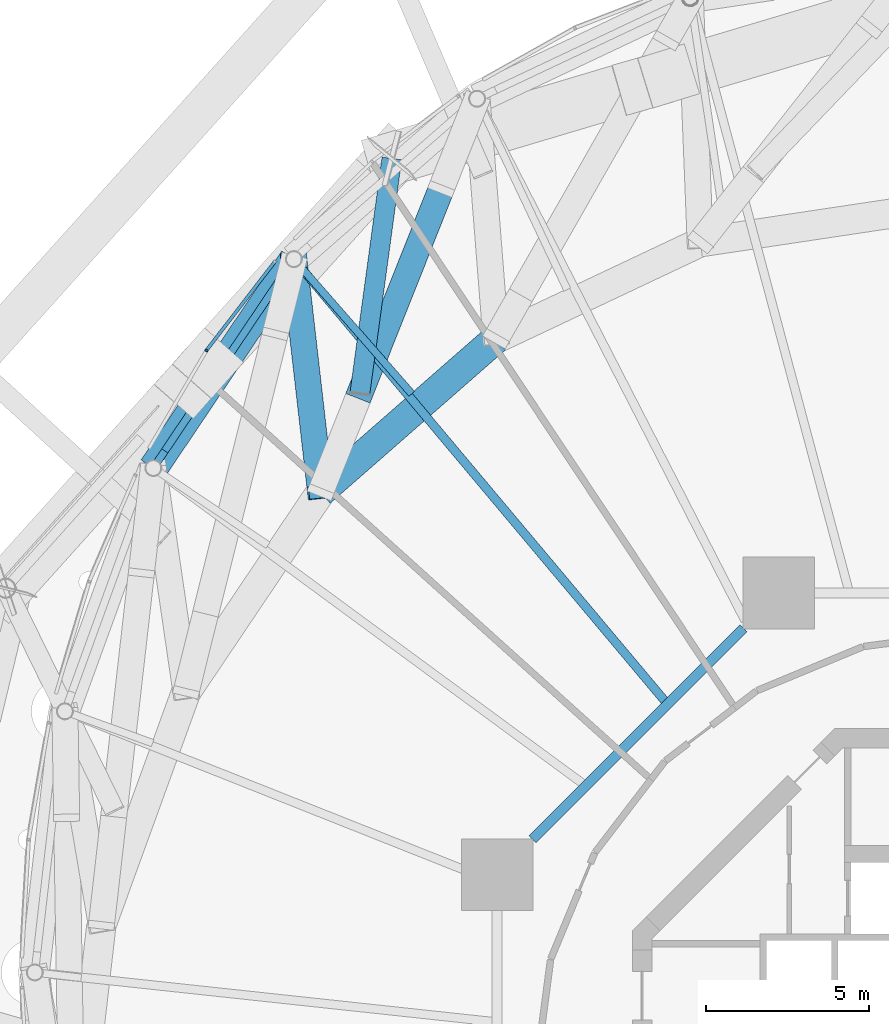
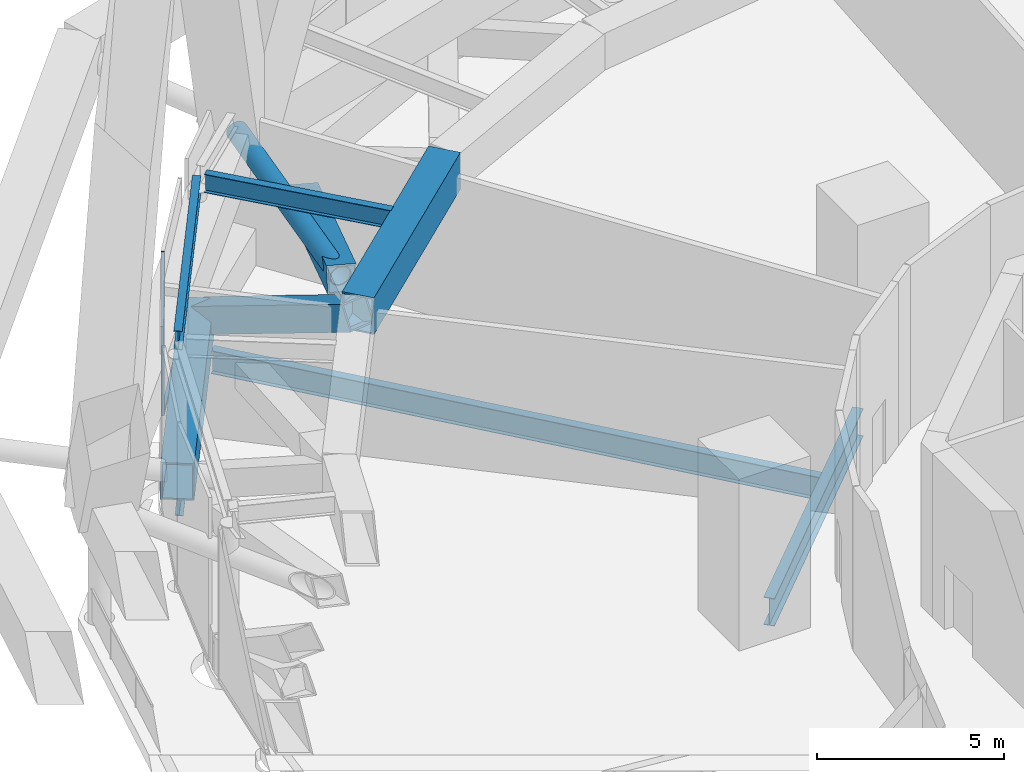
# One storey, part 26 of 65: 9 beams, 3 members, 2 elements without a shape of their own.
"""IFC4 building model written with IfcOpenShell, lengths in metres."""

from ifc_helpers import new_model, si_unit, direction, frame, origin, origin_2d, place, context, subcontext, project, spatial, rectangle, hollow_rectangle, hollow_circle, i_section, extrude, material, layer, layer_set, material_profile, profile_set, type_object, element, aggregate, save


model = new_model("IFC4")

# Units and contexts
model_context = context("Model", 3, precision=1e-05, world=origin(), true_north=direction((0.0, 1.0)))
body_context = subcontext(model_context, "Body", "Model", "MODEL_VIEW")
ifc_project = project(units=[si_unit("LENGTHUNIT", "METRE"), si_unit("AREAUNIT", "SQUARE_METRE"), si_unit("VOLUMEUNIT", "CUBIC_METRE"), si_unit("PLANEANGLEUNIT", "RADIAN"), si_unit("MASSUNIT", "GRAM", prefix="KILO")], contexts=[model_context])

# Site, building, storey
site_placement = place(None, origin())
site = spatial("IfcSite", under=ifc_project, at=site_placement, CompositionType="ELEMENT")
building_placement = place(site_placement, origin())
building = spatial("IfcBuilding", under=site, at=building_placement, Name="Nagisa Residences", CompositionType="ELEMENT")
storey_placement = place(building_placement, frame((0.0, 0.0, 114.0)))
storey = spatial("IfcBuildingStorey", under=building, at=storey_placement, Name="L28", CompositionType="ELEMENT", Elevation=114.0)

# Beams
ifc_material_1 = material(Name="Steel ASTM A572 Gr 50", Category="steel")
ifc_material_profile_1 = material_profile(ifc_material_1, hollow_rectangle(XDim=0.89990234375, YDim=1.199951171875, WallThickness=0.050048828125, at=origin_2d()), Name="BX 900x1200x50")
ifc_profile_set_1 = profile_set([ifc_material_profile_1], Name="Steel ASTM A572 Gr 50")
beam_type_1 = type_object("IfcBeamType", Name="Belt chord 2 BX 900x1200x50", PredefinedType="BEAM", material=ifc_profile_set_1)
beam_1_placement = place(storey_placement, frame((-14.8173828125, 22.598876953125, 4.739990234375), z_axis=(-0.752513371651, -0.658576970055, 0.0), x_axis=(0.658576970055, -0.752513371651, 0.0)))
element("IfcBeam", 1, at=beam_1_placement, inside=storey, type_object=beam_type_1, Name="beam:L28:bt2t09", PredefinedType="BEAM", context=body_context, shape_type="SweptSolid", body=[
    extrude(hollow_rectangle(XDim=0.89990234375, YDim=1.199951171875, WallThickness=0.050048828125, at=origin_2d()), origin(), (0.0, 0.0, 1.0), 7.16552734375),
])
beam_2_placement = place(storey_placement, frame((-21.02978515625, 25.048583984375, 0.60009765625), z_axis=(-0.558231952624, -0.829684932411, 0.0), x_axis=(0.829684932411, -0.558231952624, 0.0)))
element("IfcBeam", 2, at=beam_2_placement, inside=storey, type_object=beam_type_1, Name="beam:L28:bt2b10", PredefinedType="BEAM", context=body_context, shape_type="SweptSolid", body=[
    extrude(hollow_rectangle(XDim=0.89990234375, YDim=1.199951171875, WallThickness=0.050048828125, at=origin_2d()), origin(), (0.0, 0.0, 1.0), 7.741943359375),
])
ifc_material_2 = material(Name="Steel ASTM A572 Gr 50", Category="steel")
ifc_material_profile_2 = material_profile(ifc_material_2, hollow_rectangle(XDim=0.800048828125, YDim=0.800048828125, WallThickness=0.044921875, at=origin_2d()), Name="BX 800x800x45")
ifc_profile_set_2 = profile_set([ifc_material_profile_2], Name="Steel ASTM A572 Gr 50")
beam_type_2 = type_object("IfcBeamType", Name="Belt diagonal 2 BX 800x800x45", PredefinedType="BEAM", material=ifc_profile_set_2)
beam_3_placement = place(storey_placement, frame((-16.501708984375, 27.201416015625, 1.550048828125), z_axis=(-0.35220792217, -0.885506995621, 0.303029602955), x_axis=(0.929196765042, -0.369585405334, 0.0)))
element("IfcBeam", 3, at=beam_3_placement, inside=storey, type_object=beam_type_2, Name="beam:L28:bt2db09", PredefinedType="BEAM", context=body_context, shape_type="SweptSolid", body=[
    extrude(hollow_rectangle(XDim=0.800048828125, YDim=0.800048828125, WallThickness=0.044921875, at=origin_2d()), origin(), (0.0, 0.0, 1.0), 7.39208984375),
])
beam_4_placement = place(storey_placement, frame((-21.02978515625, 25.048583984375, 0.60009765625), z_axis=(0.098609855238, -0.861750350999, 0.497656939069), x_axis=(0.993516521835, 0.113687821863, 0.0)))
element("IfcBeam", 4, at=beam_4_placement, inside=storey, type_object=beam_type_2, Name="beam:L28:bt2da10", PredefinedType="BEAM", context=body_context, shape_type="SweptSolid", body=[
    extrude(hollow_rectangle(XDim=0.800048828125, YDim=0.800048828125, WallThickness=0.044921875, at=origin_2d()), origin(), (0.0, 0.0, 1.0), 8.31884765625),
])

# Curtain wall, member
ifc_material_3 = material(Name="Aluminium curtain wall system", Category="aluminium")
ifc_layer = layer(ifc_material_3, 0.159912109375)
ifc_layer_set = layer_set([ifc_layer], Name="CW5 CURTAIN WALL")
curtain_wall_type = type_object("IfcCurtainWallType", Name="CW5 CURTAIN WALL", PredefinedType="NOTDEFINED", material=ifc_layer_set)
curtain_wall_1_placement = place(storey_placement, origin())
curtain_wall_1 = element("IfcCurtainWall", 5, at=curtain_wall_1_placement, inside=storey, type_object=curtain_wall_type, Name="cw:CW5:L28:19", PredefinedType="NOTDEFINED")
ifc_material_4 = material(Name="Aluminium", Category="aluminium")
ifc_material_profile_3 = material_profile(ifc_material_4, rectangle(XDim=0.10009765625, YDim=0.06005859375, at=origin_2d()), Name="CW5 MULLION 100x60")
ifc_profile_set_3 = profile_set([ifc_material_profile_3], Name="Aluminium")
member_type_1 = type_object("IfcMemberType", Name="CW5 MULLION 100x60", PredefinedType="MULLION", material=ifc_profile_set_3)
member_1_placement = place(storey_placement, frame((-23.718017578125, 22.236328125, 0.0), z_axis=(0.0, 0.0, 1.0), x_axis=(0.862328898214, -0.506348567002, 0.0)))
member_1 = element("IfcMember", 6, at=member_1_placement, type_object=member_type_1, Name="CW5 mullion", PredefinedType="MULLION", context=body_context, shape_type="SweptSolid", body=[
    extrude(rectangle(XDim=0.10009765625, YDim=0.06005859375, at=origin_2d()), origin(), (0.0, 0.0, 1.0), 5.340087890625),
])
aggregate(curtain_wall_1, [member_1])

curtain_wall_2_placement = place(storey_placement, origin())
curtain_wall_2 = element("IfcCurtainWall", 7, at=curtain_wall_2_placement, inside=storey, type_object=curtain_wall_type, Name="cw:CW5:L28:18", PredefinedType="NOTDEFINED")
ifc_material_5 = material(Name="Aluminium", Category="aluminium")
ifc_material_profile_4 = material_profile(ifc_material_5, rectangle(XDim=0.10009765625, YDim=0.1201171875, at=origin_2d()), Name="CW5 TRANSOM 100x120")
ifc_profile_set_4 = profile_set([ifc_material_profile_4], Name="Aluminium")
member_type_2 = type_object("IfcMemberType", Name="CW5 TRANSOM 100x120", PredefinedType="USERDEFINED", material=ifc_profile_set_4)
member_2_placement = place(storey_placement, frame((-21.5947265625, 24.996826171875, 0.06005859375), z_axis=(-0.610405586203, -0.792089022984, 0.0), x_axis=(0.792089022984, -0.610405586203, 0.0)))
member_2 = element("IfcMember", 8, at=member_2_placement, type_object=member_type_2, Name="CW5 transom", ObjectType="TRANSOM", PredefinedType="USERDEFINED", context=body_context, shape_type="SweptSolid", body=[
    extrude(rectangle(XDim=0.10009765625, YDim=0.1201171875, at=origin_2d()), origin(), (0.0, 0.0, 1.0), 3.462890625),
])
aggregate(curtain_wall_2, [member_2])

# Member
ifc_material_6 = material(Name="Steel ASTM A572 Gr 65", Category="steel")
ifc_material_profile_5 = material_profile(ifc_material_6, hollow_circle(Radius=0.304931640625, WallThickness=0.02490234375, at=origin_2d()), Name="CHS 610x25")
ifc_profile_set_5 = profile_set([ifc_material_profile_5], Name="Steel ASTM A572 Gr 65")
member_type_3 = type_object("IfcMemberType", Name="Cage strut CHS 610x25", PredefinedType="STRUT", material=ifc_profile_set_5)
member_3_placement = place(storey_placement, frame((-18.017578125, 28.1416015625, 3.699951171875), z_axis=(-0.134877050174, -0.990862342274, 0.0), x_axis=(0.990862342274, -0.134877050174, 0.0)))
element("IfcMember", 9, at=member_3_placement, inside=storey, type_object=member_type_3, Name="mem:L28:bt2st3b05", PredefinedType="STRUT", context=body_context, shape_type="SweptSolid", body=[
    extrude(hollow_circle(Radius=0.304931640625, WallThickness=0.02490234375, at=origin_2d()), origin(), (0.0, 0.0, 1.0), 7.289306640625),
])

# Beams
ifc_material_7 = material(Name="Steel ASTM A572 Gr 50", Category="steel")
ifc_material_profile_6 = material_profile(ifc_material_7, i_section(OverallWidth=0.22802734375, OverallDepth=0.60302734375, WebThickness=0.010498046875, FlangeThickness=0.014892578125, at=origin_2d()), Name="W610x101")
ifc_profile_set_6 = profile_set([ifc_material_profile_6], Name="Steel ASTM A572 Gr 50")
beam_type_3 = type_object("IfcBeamType", Name="Garden edge beam W610x101", PredefinedType="BEAM", material=ifc_profile_set_6)
beam_5_placement = place(storey_placement, frame((-21.160400390625, 24.8544921875, 5.03857421875), z_axis=(-0.55822710519, -0.829688193861, 0.0), x_axis=(0.829688193861, -0.55822710519, 0.0)))
element("IfcBeam", 10, at=beam_5_placement, inside=storey, type_object=beam_type_3, Name="beam:L28:bt2ge10", PredefinedType="BEAM", context=body_context, shape_type="SweptSolid", body=[
    extrude(i_section(OverallWidth=0.22802734375, OverallDepth=0.60302734375, WebThickness=0.010498046875, FlangeThickness=0.014892578125, at=origin_2d()), origin(), (0.0, 0.0, 1.0), 7.27392578125),
])
ifc_material_8 = material(Name="Steel ASTM A572 Gr 50", Category="steel")
ifc_material_profile_7 = material_profile(ifc_material_8, i_section(OverallWidth=0.22802734375, OverallDepth=0.60302734375, WebThickness=0.010498046875, FlangeThickness=0.014892578125, at=origin_2d()), Name="W610x101")
ifc_profile_set_7 = profile_set([ifc_material_profile_7], Name="Steel ASTM A572 Gr 50")
beam_type_4 = type_object("IfcBeamType", Name="Garden radial beam W610x101", PredefinedType="BEAM", material=ifc_profile_set_7)
beam_6_placement = place(storey_placement, frame((-20.875732421875, 24.87255859375, 5.03857421875), z_axis=(0.658576749157, -0.752513564974, 0.0), x_axis=(0.752513564974, 0.658576749157, 0.0)))
element("IfcBeam", 11, at=beam_6_placement, inside=storey, type_object=beam_type_4, Name="beam:L28:bt2gr10", PredefinedType="BEAM", context=body_context, shape_type="SweptSolid", body=[
    extrude(i_section(OverallWidth=0.22802734375, OverallDepth=0.60302734375, WebThickness=0.010498046875, FlangeThickness=0.014892578125, at=origin_2d()), origin(), (0.0, 0.0, 1.0), 5.270751953125),
])
ifc_material_9 = material(Name="Steel ASTM A572 Gr 50", Category="steel")
ifc_material_profile_8 = material_profile(ifc_material_9, i_section(OverallWidth=0.303955078125, OverallDepth=0.903076171875, WebThickness=0.01513671875, FlangeThickness=0.02001953125, at=origin_2d()), Name="W920x201")
ifc_profile_set_8 = profile_set([ifc_material_profile_8], Name="Steel ASTM A572 Gr 50")
beam_type_5 = type_object("IfcBeamType", Name="Inner ring beam W920x201", PredefinedType="BEAM", material=ifc_profile_set_8)
beam_7_placement = place(storey_placement, frame((-7.208740234375, 13.6962890625, -0.801513671875), z_axis=(-0.707106781187, -0.707106781187, 0.0), x_axis=(0.707106781187, -0.707106781187, 0.0)))
element("IfcBeam", 12, at=beam_7_placement, inside=storey, type_object=beam_type_5, Name="beam:L28:ib3", PredefinedType="BEAM", context=body_context, shape_type="SweptSolid", body=[
    extrude(i_section(OverallWidth=0.303955078125, OverallDepth=0.903076171875, WebThickness=0.01513671875, FlangeThickness=0.02001953125, at=origin_2d()), origin(), (0.0, 0.0, 1.0), 9.1748046875),
])
ifc_material_10 = material(Name="Steel ASTM A572 Gr 50", Category="steel")
ifc_material_profile_9 = material_profile(ifc_material_10, i_section(OverallWidth=0.22900390625, OverallDepth=0.612060546875, WebThickness=0.011962890625, FlangeThickness=0.01953125, at=origin_2d()), Name="W610x125")
ifc_profile_set_9 = profile_set([ifc_material_profile_9], Name="Steel ASTM A572 Gr 50")
beam_type_6 = type_object("IfcBeamType", Name="Perimeter ring beam W610x125", PredefinedType="BEAM", material=ifc_profile_set_9)
beam_8_placement = place(storey_placement, frame((-21.384521484375, 24.521484375, -0.656005859375), z_axis=(-0.558221079259, -0.829692248168, 0.0), x_axis=(0.829692248168, -0.558221079259, 0.0)))
element("IfcBeam", 13, at=beam_8_placement, inside=storey, type_object=beam_type_6, Name="beam:L28:pb10", PredefinedType="BEAM", context=body_context, shape_type="SweptSolid", body=[
    extrude(i_section(OverallWidth=0.22900390625, OverallDepth=0.612060546875, WebThickness=0.011962890625, FlangeThickness=0.01953125, at=origin_2d()), origin(), (0.0, 0.0, 1.0), 6.471435546875),
])
ifc_material_11 = material(Name="Steel ASTM A572 Gr 50", Category="steel")
ifc_material_profile_10 = material_profile(ifc_material_11, i_section(OverallWidth=0.264892578125, OverallDepth=0.7529296875, WebThickness=0.01318359375, FlangeThickness=0.01708984375, at=origin_2d()), Name="W760x147")
ifc_profile_set_10 = profile_set([ifc_material_profile_10], Name="Steel ASTM A572 Gr 50")
beam_type_7 = type_object("IfcBeamType", Name="Radial beam W760x147", PredefinedType="BEAM", material=ifc_profile_set_10)
beam_9_placement = place(storey_placement, frame((-20.75, 24.71533203125, -0.7265625), z_axis=(0.642988193212, -0.765876088796, 0.0), x_axis=(0.765876088796, 0.642988193212, 0.0)))
element("IfcBeam", 14, at=beam_9_placement, inside=storey, type_object=beam_type_7, Name="beam:L28:rb10", PredefinedType="BEAM", context=body_context, shape_type="SweptSolid", body=[
    extrude(i_section(OverallWidth=0.264892578125, OverallDepth=0.7529296875, WebThickness=0.01318359375, FlangeThickness=0.01708984375, at=origin_2d()), origin(), (0.0, 0.0, 1.0), 17.300048828125),
])

save(model, "model.ifc")
